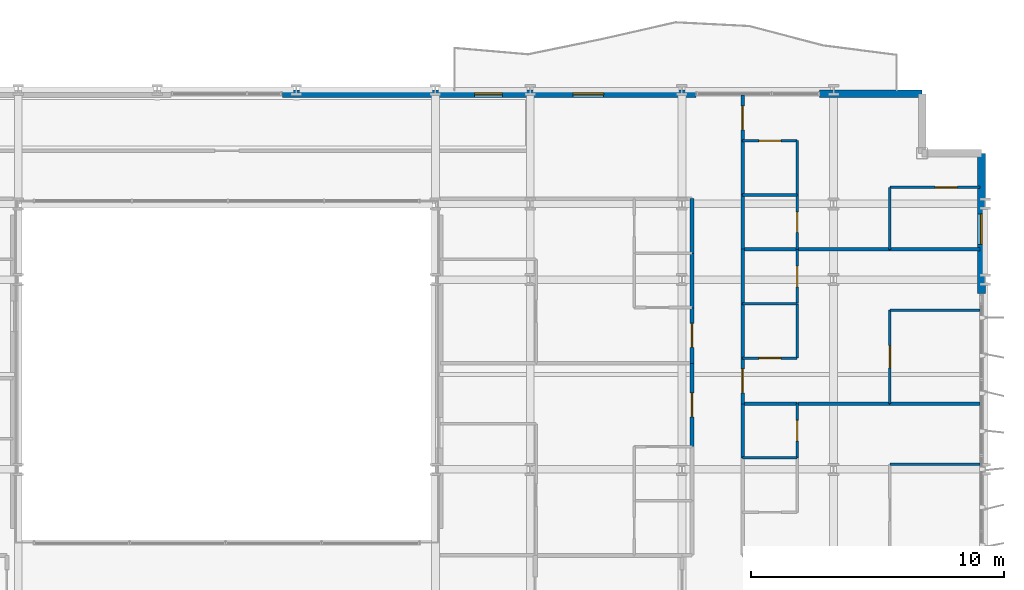
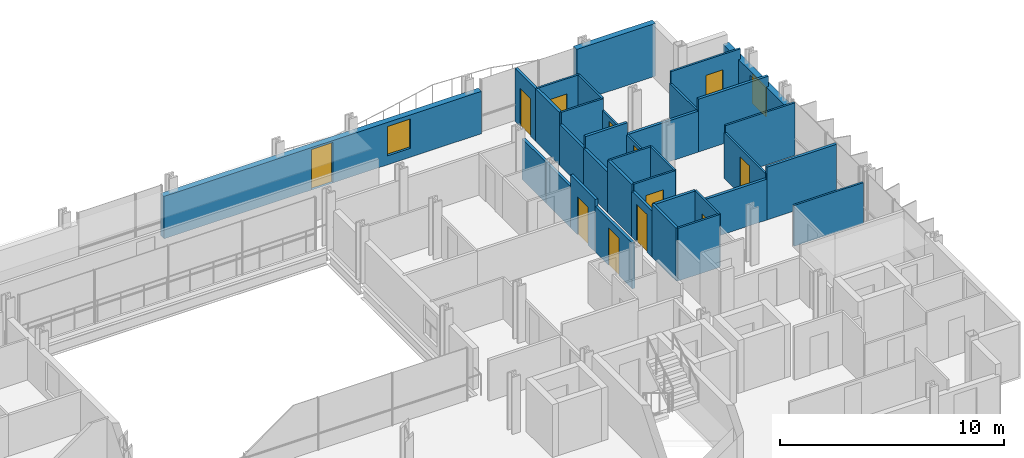
# One storey, part 32 of 39: 35 walls, 12 doors, 2 windows, 14 openings.
"""IFC4 building model written with IfcOpenShell, lengths in metres."""

from ifc_helpers import new_model, si_unit, direction, frame, frame_2d, origin, place, context, subcontext, project, spatial, rectangle, extrude, material, layer, layer_set, type_object, element, fill, save


model = new_model("IFC4")

# Units and contexts
model_context = context("Model", 3, precision=1e-05, world=origin(), true_north=direction((0.0, 1.0)))
body_context = subcontext(model_context, "Body", "Model", "MODEL_VIEW")
ifc_project = project(units=[si_unit("LENGTHUNIT", "METRE"), si_unit("AREAUNIT", "SQUARE_METRE"), si_unit("VOLUMEUNIT", "CUBIC_METRE"), si_unit("PLANEANGLEUNIT", "RADIAN"), si_unit("MASSUNIT", "GRAM", prefix="KILO")], contexts=[model_context])

# Site, building, storey
site_placement = place(None, origin())
site = spatial("IfcSite", under=ifc_project, at=site_placement, CompositionType="ELEMENT")
building_placement = place(site_placement, origin())
building = spatial("IfcBuilding", under=site, at=building_placement, Name="Brevholm Reach", CompositionType="ELEMENT")
storey_placement = place(building_placement, frame((0.0, 0.0, 34.199951171875)))
storey = spatial("IfcBuildingStorey", under=building, at=storey_placement, Name="L08", CompositionType="ELEMENT", Elevation=34.199951171875)

# Wall, opening, window
ifc_material_1 = material(Name="Concrete C40/50", Category="concrete")
ifc_layer_1 = layer(ifc_material_1, 0.300048828125)
ifc_layer_set_1 = layer_set([ifc_layer_1], Name="Concrete C40/50")
wall_type_1 = type_object("IfcWallType", Name="WAL-EXT-300", PredefinedType="STANDARD", material=ifc_layer_set_1)
wall_1_placement = place(storey_placement, frame((59.85009765625, 22.949951171875, 0.0), z_axis=(0.0, 0.0, 1.0), x_axis=(0.0, 1.0, 0.0)))
wall_1 = element("IfcWall", 1, at=wall_1_placement, inside=storey, type_object=wall_type_1, Name="L08 Facade Wall WAL-L08-E-N", PredefinedType="STANDARD", context=body_context, shape_type="SweptSolid", body=[
    extrude(rectangle(XDim=5.550048828125, YDim=0.300048828125, at=frame_2d((2.77490234375, 0.0))), origin(), (0.0, 0.0, 1.0), 2.3056640625),
])
opening_1_placement = place(wall_1_placement, frame((1.949951171875, 0.0, 0.485107421875)))
opening_1 = element("IfcOpeningElement", 2, at=opening_1_placement, cuts=wall_1, Name="Opening WN-08", PredefinedType="OPENING", context=body_context, shape_type="SweptSolid", body=[
    extrude(rectangle(XDim=1.199951171875, YDim=1.60009765625, at=frame_2d((0.60009765625, 0.800048828125))), frame((0.0, 0.159912109375, 0.0), z_axis=(0.0, -1.0, 0.0), x_axis=(1.0, 0.0, 0.0)), (0.0, 0.0, 1.0), 0.320068359375),
])
ifc_material_2 = material(Name="Dark Anodised Aluminium and Solar-Control IGU Glass", Category="aluminium")
window_type = type_object("IfcWindowType", Name="WIN-RES-1200", PartitioningType="SINGLE_PANEL", PredefinedType="WINDOW", material=ifc_material_2)
window_1_placement = place(opening_1_placement, origin())
window_1 = element("IfcWindow", 3, at=window_1_placement, inside=storey, type_object=window_type, Name="L08 Window WIN-L08-EN-1", OverallHeight=1.60009765625, OverallWidth=1.199951171875, PartitioningType="SINGLE_PANEL", PredefinedType="WINDOW", context=body_context, shape_type="SweptSolid", body=[
    extrude(rectangle(XDim=1.199951171875, YDim=1.60009765625, at=frame_2d((0.60009765625, 0.800048828125))), frame((0.0, 0.030029296875, 0.0), z_axis=(0.0, -1.0, 0.0), x_axis=(1.0, 0.0, 0.0)), (0.0, 0.0, 1.0), 0.06005859375),
])
fill(opening_1, window_1)

# Wall
wall_2_placement = place(storey_placement, frame((53.449951171875, 30.85009765625, 0.0), z_axis=(0.0, 0.0, 1.0), x_axis=(1.0, 0.0, 0.0)))
element("IfcWall", 4, at=wall_2_placement, inside=storey, type_object=wall_type_1, Name="L08 Facade Wall WAL-L08-NP-E0", PredefinedType="STANDARD", context=body_context, shape_type="SweptSolid", body=[
    extrude(rectangle(XDim=4.050048828125, YDim=0.300048828125, at=frame_2d((2.02490234375, 0.0))), origin(), (0.0, 0.0, 1.0), 2.8701171875),
])

# Wall, openings, door, window
wall_3_placement = place(storey_placement, frame((32.199951171875, 30.85009765625, 0.0), z_axis=(0.0, 0.0, 1.0), x_axis=(1.0, 0.0, 0.0)))
wall_3 = element("IfcWall", 5, at=wall_3_placement, inside=storey, type_object=wall_type_1, Name="L08 Facade Wall WAL-L08-NP-ER", PredefinedType="STANDARD", context=body_context, shape_type="SweptSolid", body=[
    extrude(rectangle(XDim=16.35009765625, YDim=0.300048828125, at=frame_2d((8.175048828125, 0.0))), origin(), (0.0, 0.0, 1.0), 2.3056640625),
])
opening_2_placement = place(wall_3_placement, frame((7.60009765625, 0.0, 0.0)))
opening_2 = element("IfcOpeningElement", 6, at=opening_2_placement, cuts=wall_3, Name="Opening BD-01", PredefinedType="OPENING", context=body_context, shape_type="SweptSolid", body=[
    extrude(rectangle(XDim=1.10009765625, YDim=2.199951171875, at=frame_2d((0.550048828125, 1.10009765625))), frame((0.0, 0.159912109375, 0.0), z_axis=(0.0, -1.0, 0.0), x_axis=(1.0, 0.0, 0.0)), (0.0, 0.0, 1.0), 0.320068359375),
])
opening_3_placement = place(wall_3_placement, frame((11.5, 0.0, 0.485107421875)))
opening_3 = element("IfcOpeningElement", 7, at=opening_3_placement, cuts=wall_3, Name="Opening WN-08", PredefinedType="OPENING", context=body_context, shape_type="SweptSolid", body=[
    extrude(rectangle(XDim=1.199951171875, YDim=1.60009765625, at=frame_2d((0.60009765625, 0.800048828125))), frame((0.0, 0.159912109375, 0.0), z_axis=(0.0, -1.0, 0.0), x_axis=(1.0, 0.0, 0.0)), (0.0, 0.0, 1.0), 0.320068359375),
])
ifc_material_3 = material(Name="Dark Anodised Aluminium and Triple-Glazed Glass", Category="aluminium")
door_type_1 = type_object("IfcDoorType", Name="DOR-BALC-1100", OperationType="NOTDEFINED", PredefinedType="DOOR", material=ifc_material_3)
door_1_placement = place(opening_2_placement, origin())
door_1 = element("IfcDoor", 8, at=door_1_placement, inside=storey, type_object=door_type_1, Name="L08 Exterior Door DOR-L08-BL-NE", OperationType="SINGLE_SWING_RIGHT", OverallHeight=2.199951171875, OverallWidth=1.10009765625, PredefinedType="DOOR", context=body_context, shape_type="SweptSolid", body=[
    extrude(rectangle(XDim=1.10009765625, YDim=2.199951171875, at=frame_2d((0.550048828125, 1.10009765625))), frame((0.0, 0.02490234375, 0.0), z_axis=(0.0, -1.0, 0.0), x_axis=(1.0, 0.0, 0.0)), (0.0, 0.0, 1.0), 0.050048828125),
])
fill(opening_2, door_1)
window_2_placement = place(opening_3_placement, origin())
window_2 = element("IfcWindow", 9, at=window_2_placement, inside=storey, type_object=window_type, Name="L08 Window WIN-L08-NP-ER1", OverallHeight=1.60009765625, OverallWidth=1.199951171875, PartitioningType="SINGLE_PANEL", PredefinedType="WINDOW", context=body_context, shape_type="SweptSolid", body=[
    extrude(rectangle(XDim=1.199951171875, YDim=1.60009765625, at=frame_2d((0.60009765625, 0.800048828125))), frame((0.0, 0.030029296875, 0.0), z_axis=(0.0, -1.0, 0.0), x_axis=(1.0, 0.0, 0.0)), (0.0, 0.0, 1.0), 0.06005859375),
])
fill(opening_3, window_2)

# Wall
ifc_material_4 = material(Name="Moisture-Resistant Acoustic Gypsum Stud Partition 100 mm", Category="gypsum")
ifc_layer_2 = layer(ifc_material_4, 0.10009765625)
ifc_layer_set_2 = layer_set([ifc_layer_2], Name="Moisture-Resistant Acoustic Gypsum Stud Partition 100 mm")
wall_type_2 = type_object("IfcWallType", Name="WAL-PRT-100", PredefinedType="PARTITIONING", material=ifc_layer_set_2)
wall_4_placement = place(storey_placement, frame((50.404052734375, 16.449951171875, 0.0), z_axis=(0.0, 0.0, 1.0), x_axis=(1.0, 0.0, 0.0)))
element("IfcWall", 10, at=wall_4_placement, inside=storey, type_object=wall_type_2, Name="L08 Internal Partition 138", PredefinedType="PARTITIONING", context=body_context, shape_type="SweptSolid", body=[
    extrude(rectangle(XDim=2.157958984375, YDim=0.10009765625, at=frame_2d((1.0791015625, 0.0))), origin(), (0.0, 0.0, 1.0), 2.8701171875),
])

# Wall, opening, door
wall_5_placement = place(storey_placement, frame((52.56201171875, 16.449951171875, 0.0), z_axis=(0.0, 0.0, 1.0), x_axis=(0.0, 1.0, 0.0)))
wall_5 = element("IfcWall", 11, at=wall_5_placement, inside=storey, type_object=wall_type_2, Name="L08 Internal Partition 139", PredefinedType="PARTITIONING", context=body_context, shape_type="SweptSolid", body=[
    extrude(rectangle(XDim=2.150146484375, YDim=0.10009765625, at=frame_2d((1.0751953125, 0.0))), origin(), (0.0, 0.0, 1.0), 2.8701171875),
])
opening_4_placement = place(wall_5_placement, frame((0.6650390625, 0.0, 0.0)))
opening_4 = element("IfcOpeningElement", 12, at=opening_4_placement, cuts=wall_5, Name="Opening ID-03", PredefinedType="OPENING", context=body_context, shape_type="SweptSolid", body=[
    extrude(rectangle(XDim=0.820068359375, YDim=2.02001953125, at=frame_2d((0.41015625, 1.010009765625))), frame((0.0, 0.06005859375, 0.0), z_axis=(0.0, -1.0, 0.0), x_axis=(1.0, 0.0, 0.0)), (0.0, 0.0, 1.0), 0.1201171875),
])
ifc_material_5 = material(Name="Moisture-Resistant Painted Timber Internal Bathroom Door", Category="wood")
door_type_2 = type_object("IfcDoorType", Name="DOR-BATH-820", OperationType="NOTDEFINED", PredefinedType="DOOR", material=ifc_material_5)
door_2_placement = place(opening_4_placement, origin())
door_2 = element("IfcDoor", 13, at=door_2_placement, inside=storey, type_object=door_type_2, Name="L08 Internal Door 052", OperationType="SINGLE_SWING_RIGHT", OverallHeight=2.02001953125, OverallWidth=0.820068359375, PredefinedType="DOOR", context=body_context, shape_type="SweptSolid", body=[
    extrude(rectangle(XDim=0.820068359375, YDim=2.02001953125, at=frame_2d((0.41015625, 1.010009765625))), frame((0.0, 0.02490234375, 0.0), z_axis=(0.0, -1.0, 0.0), x_axis=(1.0, 0.0, 0.0)), (0.0, 0.0, 1.0), 0.050048828125),
])
fill(opening_4, door_2)

# Walls
wall_6_placement = place(storey_placement, frame((56.22802734375, 16.199951171875, 0.0), z_axis=(0.0, 0.0, 1.0), x_axis=(1.0, 0.0, 0.0)))
element("IfcWall", 14, at=wall_6_placement, inside=storey, type_object=wall_type_2, Name="L08 Internal Partition 143", PredefinedType="PARTITIONING", context=body_context, shape_type="SweptSolid", body=[
    extrude(rectangle(XDim=3.572021484375, YDim=0.10009765625, at=frame_2d((1.7861328125, 0.0))), origin(), (0.0, 0.0, 1.0), 2.224853515625),
])
wall_7_placement = place(storey_placement, frame((50.404052734375, 22.550048828125, 0.0), z_axis=(0.0, 0.0, 1.0), x_axis=(1.0, 0.0, 0.0)))
element("IfcWall", 15, at=wall_7_placement, inside=storey, type_object=wall_type_2, Name="L08 Internal Partition 147", PredefinedType="PARTITIONING", context=body_context, shape_type="SweptSolid", body=[
    extrude(rectangle(XDim=2.157958984375, YDim=0.10009765625, at=frame_2d((1.0791015625, 0.0))), origin(), (0.0, 0.0, 1.0), 2.8701171875),
])

# Wall, opening, door
wall_8_placement = place(storey_placement, frame((52.56201171875, 22.550048828125, 0.0), z_axis=(0.0, 0.0, 1.0), x_axis=(0.0, 1.0, 0.0)))
wall_8 = element("IfcWall", 16, at=wall_8_placement, inside=storey, type_object=wall_type_2, Name="L08 Internal Partition 148", PredefinedType="PARTITIONING", context=body_context, shape_type="SweptSolid", body=[
    extrude(rectangle(XDim=2.14990234375, YDim=0.10009765625, at=frame_2d((1.074951171875, 0.0))), origin(), (0.0, 0.0, 1.0), 2.224853515625),
])
opening_5_placement = place(wall_8_placement, frame((0.6650390625, 0.0, 0.0)))
opening_5 = element("IfcOpeningElement", 17, at=opening_5_placement, cuts=wall_8, Name="Opening ID-03", PredefinedType="OPENING", context=body_context, shape_type="SweptSolid", body=[
    extrude(rectangle(XDim=0.820068359375, YDim=2.02001953125, at=frame_2d((0.41015625, 1.010009765625))), frame((0.0, 0.06005859375, 0.0), z_axis=(0.0, -1.0, 0.0), x_axis=(1.0, 0.0, 0.0)), (0.0, 0.0, 1.0), 0.1201171875),
])
door_3_placement = place(opening_5_placement, origin())
door_3 = element("IfcDoor", 18, at=door_3_placement, inside=storey, type_object=door_type_2, Name="L08 Internal Door 055", OperationType="SINGLE_SWING_LEFT", OverallHeight=2.02001953125, OverallWidth=0.820068359375, PredefinedType="DOOR", context=body_context, shape_type="SweptSolid", body=[
    extrude(rectangle(XDim=0.820068359375, YDim=2.02001953125, at=frame_2d((0.41015625, 1.010009765625))), frame((0.0, 0.02490234375, 0.0), z_axis=(0.0, -1.0, 0.0), x_axis=(1.0, 0.0, 0.0)), (0.0, 0.0, 1.0), 0.050048828125),
])
fill(opening_5, door_3)

wall_9_placement = place(storey_placement, frame((50.404052734375, 20.39990234375, 0.0), z_axis=(0.0, 0.0, 1.0), x_axis=(1.0, 0.0, 0.0)))
wall_9 = element("IfcWall", 19, at=wall_9_placement, inside=storey, type_object=wall_type_2, Name="L08 Internal Partition 150", PredefinedType="PARTITIONING", context=body_context, shape_type="SweptSolid", body=[
    extrude(rectangle(XDim=2.157958984375, YDim=0.10009765625, at=frame_2d((1.0791015625, 0.0))), origin(), (0.0, 0.0, 1.0), 2.8701171875),
])
opening_6_placement = place(wall_9_placement, frame((0.638916015625, 0.0, 0.0)))
opening_6 = element("IfcOpeningElement", 20, at=opening_6_placement, cuts=wall_9, Name="Opening ID-01", PredefinedType="OPENING", context=body_context, shape_type="SweptSolid", body=[
    extrude(rectangle(XDim=0.8798828125, YDim=2.0400390625, at=frame_2d((0.43994140625, 1.02001953125))), frame((0.0, 0.06005859375, 0.0), z_axis=(0.0, -1.0, 0.0), x_axis=(1.0, 0.0, 0.0)), (0.0, 0.0, 1.0), 0.1201171875),
])
ifc_material_6 = material(Name="Lacquered Ash Solid-Core Acoustic Internal Door", Category="timber")
door_type_3 = type_object("IfcDoorType", Name="DOR-INT-880", OperationType="NOTDEFINED", PredefinedType="DOOR", material=ifc_material_6)
door_4_placement = place(opening_6_placement, origin())
door_4 = element("IfcDoor", 21, at=door_4_placement, inside=storey, type_object=door_type_3, Name="L08 Internal Door 056", OperationType="SINGLE_SWING_RIGHT", OverallHeight=2.0400390625, OverallWidth=0.8798828125, PredefinedType="DOOR", context=body_context, shape_type="SweptSolid", body=[
    extrude(rectangle(XDim=0.8798828125, YDim=2.0400390625, at=frame_2d((0.43994140625, 1.02001953125))), frame((0.0, 0.02490234375, 0.0), z_axis=(0.0, -1.0, 0.0), x_axis=(1.0, 0.0, 0.0)), (0.0, 0.0, 1.0), 0.050048828125),
])
fill(opening_6, door_4)

# Walls
wall_10_placement = place(storey_placement, frame((52.56201171875, 20.39990234375, 0.0), z_axis=(0.0, 0.0, 1.0), x_axis=(0.0, 1.0, 0.0)))
element("IfcWall", 22, at=wall_10_placement, inside=storey, type_object=wall_type_2, Name="L08 Internal Partition 151", PredefinedType="PARTITIONING", context=body_context, shape_type="SweptSolid", body=[
    extrude(rectangle(XDim=2.14599609375, YDim=0.10009765625, at=frame_2d((1.072998046875, 0.0))), origin(), (0.0, 0.0, 1.0), 2.8701171875),
])
wall_11_placement = place(storey_placement, frame((56.22802734375, 22.300048828125, 0.0), z_axis=(0.0, 0.0, 1.0), x_axis=(1.0, 0.0, 0.0)))
element("IfcWall", 23, at=wall_11_placement, inside=storey, type_object=wall_type_2, Name="L08 Internal Partition 152", PredefinedType="PARTITIONING", context=body_context, shape_type="SweptSolid", body=[
    extrude(rectangle(XDim=3.572021484375, YDim=0.10009765625, at=frame_2d((1.7861328125, 0.0))), origin(), (0.0, 0.0, 1.0), 2.8701171875),
])

# Wall, opening, door
wall_12_placement = place(storey_placement, frame((56.22802734375, 18.60400390625, 0.0), z_axis=(0.0, 0.0, 1.0), x_axis=(0.0, 1.0, 0.0)))
wall_12 = element("IfcWall", 24, at=wall_12_placement, inside=storey, type_object=wall_type_2, Name="L08 Internal Partition 153", PredefinedType="PARTITIONING", context=body_context, shape_type="SweptSolid", body=[
    extrude(rectangle(XDim=3.696044921875, YDim=0.10009765625, at=frame_2d((1.84814453125, 0.0))), origin(), (0.0, 0.0, 1.0), 2.489990234375),
])
opening_7_placement = place(wall_12_placement, frame((1.407958984375, 0.0, 0.0)))
opening_7 = element("IfcOpeningElement", 25, at=opening_7_placement, cuts=wall_12, Name="Opening ID-01", PredefinedType="OPENING", context=body_context, shape_type="SweptSolid", body=[
    extrude(rectangle(XDim=0.8798828125, YDim=2.0400390625, at=frame_2d((0.43994140625, 1.02001953125))), frame((0.0, 0.06005859375, 0.0), z_axis=(0.0, -1.0, 0.0), x_axis=(1.0, 0.0, 0.0)), (0.0, 0.0, 1.0), 0.1201171875),
])
door_5_placement = place(opening_7_placement, origin())
door_5 = element("IfcDoor", 26, at=door_5_placement, inside=storey, type_object=door_type_3, Name="L08 Internal Door 057", OperationType="SINGLE_SWING_LEFT", OverallHeight=2.0400390625, OverallWidth=0.8798828125, PredefinedType="DOOR", context=body_context, shape_type="SweptSolid", body=[
    extrude(rectangle(XDim=0.8798828125, YDim=2.0400390625, at=frame_2d((0.43994140625, 1.02001953125))), frame((0.0, 0.02490234375, 0.0), z_axis=(0.0, -1.0, 0.0), x_axis=(1.0, 0.0, 0.0)), (0.0, 0.0, 1.0), 0.050048828125),
])
fill(opening_7, door_5)

# Wall
wall_13_placement = place(storey_placement, frame((50.404052734375, 26.85009765625, 0.0), z_axis=(0.0, 0.0, 1.0), x_axis=(1.0, 0.0, 0.0)))
element("IfcWall", 27, at=wall_13_placement, inside=storey, type_object=wall_type_2, Name="L08 Internal Partition 156", PredefinedType="PARTITIONING", context=body_context, shape_type="SweptSolid", body=[
    extrude(rectangle(XDim=2.157958984375, YDim=0.10009765625, at=frame_2d((1.0791015625, 0.0))), origin(), (0.0, 0.0, 1.0), 2.8701171875),
])

# Wall, opening, door
wall_14_placement = place(storey_placement, frame((52.56201171875, 24.7041015625, 0.0), z_axis=(0.0, 0.0, 1.0), x_axis=(0.0, 1.0, 0.0)))
wall_14 = element("IfcWall", 28, at=wall_14_placement, inside=storey, type_object=wall_type_2, Name="L08 Internal Partition 157", PredefinedType="PARTITIONING", context=body_context, shape_type="SweptSolid", body=[
    extrude(rectangle(XDim=2.14599609375, YDim=0.10009765625, at=frame_2d((1.072998046875, 0.0))), origin(), (0.0, 0.0, 1.0), 2.224853515625),
])
opening_8_placement = place(wall_14_placement, frame((0.6630859375, 0.0, 0.0)))
opening_8 = element("IfcOpeningElement", 29, at=opening_8_placement, cuts=wall_14, Name="Opening ID-03", PredefinedType="OPENING", context=body_context, shape_type="SweptSolid", body=[
    extrude(rectangle(XDim=0.820068359375, YDim=2.02001953125, at=frame_2d((0.41015625, 1.010009765625))), frame((0.0, 0.06005859375, 0.0), z_axis=(0.0, -1.0, 0.0), x_axis=(1.0, 0.0, 0.0)), (0.0, 0.0, 1.0), 0.1201171875),
])
door_6_placement = place(opening_8_placement, origin())
door_6 = element("IfcDoor", 30, at=door_6_placement, inside=storey, type_object=door_type_2, Name="L08 Internal Door 058", OperationType="SINGLE_SWING_RIGHT", OverallHeight=2.02001953125, OverallWidth=0.820068359375, PredefinedType="DOOR", context=body_context, shape_type="SweptSolid", body=[
    extrude(rectangle(XDim=0.820068359375, YDim=2.02001953125, at=frame_2d((0.41015625, 1.010009765625))), frame((0.0, 0.02490234375, 0.0), z_axis=(0.0, -1.0, 0.0), x_axis=(1.0, 0.0, 0.0)), (0.0, 0.0, 1.0), 0.050048828125),
])
fill(opening_8, door_6)

# Wall
wall_15_placement = place(storey_placement, frame((52.56201171875, 26.85400390625, 0.0), z_axis=(0.0, 0.0, 1.0), x_axis=(0.0, 1.0, 0.0)))
element("IfcWall", 31, at=wall_15_placement, inside=storey, type_object=wall_type_2, Name="L08 Internal Partition 158", PredefinedType="PARTITIONING", context=body_context, shape_type="SweptSolid", body=[
    extrude(rectangle(XDim=2.14599609375, YDim=0.10009765625, at=frame_2d((1.072998046875, 0.0))), origin(), (0.0, 0.0, 1.0), 2.8701171875),
])

# Wall, opening, door
wall_16_placement = place(storey_placement, frame((50.404052734375, 29.0, 0.0), z_axis=(0.0, 0.0, 1.0), x_axis=(1.0, 0.0, 0.0)))
wall_16 = element("IfcWall", 32, at=wall_16_placement, inside=storey, type_object=wall_type_2, Name="L08 Internal Partition 159", PredefinedType="PARTITIONING", context=body_context, shape_type="SweptSolid", body=[
    extrude(rectangle(XDim=2.157958984375, YDim=0.10009765625, at=frame_2d((1.0791015625, 0.0))), origin(), (0.0, 0.0, 1.0), 2.8701171875),
])
opening_9_placement = place(wall_16_placement, frame((0.638916015625, 0.0, 0.0)))
opening_9 = element("IfcOpeningElement", 33, at=opening_9_placement, cuts=wall_16, Name="Opening ID-01", PredefinedType="OPENING", context=body_context, shape_type="SweptSolid", body=[
    extrude(rectangle(XDim=0.8798828125, YDim=2.0400390625, at=frame_2d((0.43994140625, 1.02001953125))), frame((0.0, 0.06005859375, 0.0), z_axis=(0.0, -1.0, 0.0), x_axis=(1.0, 0.0, 0.0)), (0.0, 0.0, 1.0), 0.1201171875),
])
door_7_placement = place(opening_9_placement, origin())
door_7 = element("IfcDoor", 34, at=door_7_placement, inside=storey, type_object=door_type_3, Name="L08 Internal Door 059", OperationType="SINGLE_SWING_LEFT", OverallHeight=2.0400390625, OverallWidth=0.8798828125, PredefinedType="DOOR", context=body_context, shape_type="SweptSolid", body=[
    extrude(rectangle(XDim=0.8798828125, YDim=2.0400390625, at=frame_2d((0.43994140625, 1.02001953125))), frame((0.0, 0.02490234375, 0.0), z_axis=(0.0, -1.0, 0.0), x_axis=(1.0, 0.0, 0.0)), (0.0, 0.0, 1.0), 0.050048828125),
])
fill(opening_9, door_7)

wall_17_placement = place(storey_placement, frame((56.22802734375, 27.14990234375, 0.0), z_axis=(0.0, 0.0, 1.0), x_axis=(1.0, 0.0, 0.0)))
wall_17 = element("IfcWall", 35, at=wall_17_placement, inside=storey, type_object=wall_type_2, Name="L08 Internal Partition 160", PredefinedType="PARTITIONING", context=body_context, shape_type="SweptSolid", body=[
    extrude(rectangle(XDim=3.572021484375, YDim=0.10009765625, at=frame_2d((1.7861328125, 0.0))), origin(), (0.0, 0.0, 1.0), 2.8701171875),
])
opening_10_placement = place(wall_17_placement, frame((1.785888671875, 0.0, 0.0)))
opening_10 = element("IfcOpeningElement", 36, at=opening_10_placement, cuts=wall_17, Name="Opening ID-01", PredefinedType="OPENING", context=body_context, shape_type="SweptSolid", body=[
    extrude(rectangle(XDim=0.8798828125, YDim=2.0400390625, at=frame_2d((0.43994140625, 1.02001953125))), frame((0.0, 0.06005859375, 0.0), z_axis=(0.0, -1.0, 0.0), x_axis=(1.0, 0.0, 0.0)), (0.0, 0.0, 1.0), 0.1201171875),
])
door_8_placement = place(opening_10_placement, origin())
door_8 = element("IfcDoor", 37, at=door_8_placement, inside=storey, type_object=door_type_3, Name="L08 Internal Door 060", OperationType="SINGLE_SWING_RIGHT", OverallHeight=2.0400390625, OverallWidth=0.8798828125, PredefinedType="DOOR", context=body_context, shape_type="SweptSolid", body=[
    extrude(rectangle(XDim=0.8798828125, YDim=2.0400390625, at=frame_2d((0.43994140625, 1.02001953125))), frame((0.0, 0.02490234375, 0.0), z_axis=(0.0, -1.0, 0.0), x_axis=(1.0, 0.0, 0.0)), (0.0, 0.0, 1.0), 0.050048828125),
])
fill(opening_10, door_8)

# Wall
wall_18_placement = place(storey_placement, frame((56.22802734375, 24.7041015625, 0.0), z_axis=(0.0, 0.0, 1.0), x_axis=(0.0, 1.0, 0.0)))
element("IfcWall", 38, at=wall_18_placement, inside=storey, type_object=wall_type_2, Name="L08 Internal Partition 161", PredefinedType="PARTITIONING", context=body_context, shape_type="SweptSolid", body=[
    extrude(rectangle(XDim=2.44580078125, YDim=0.10009765625, at=frame_2d((1.222900390625, 0.0))), origin(), (0.0, 0.0, 1.0), 2.224853515625),
])

# Wall, opening, door
ifc_material_7 = material(Name="Twin-Stud Acoustic Fire-Rated Gypsum Partition 140 mm", Category="gypsum")
ifc_layer_3 = layer(ifc_material_7, 0.139892578125)
ifc_layer_set_3 = layer_set([ifc_layer_3], Name="Twin-Stud Acoustic Fire-Rated Gypsum Partition 140 mm")
wall_type_3 = type_object("IfcWallType", Name="WAL-PRT-140", PredefinedType="PARTITIONING", material=ifc_layer_set_3)
wall_19_placement = place(storey_placement, frame((48.39990234375, 16.892578125, 0.0), z_axis=(0.0, 0.0, 1.0), x_axis=(0.0, 1.0, 0.0)))
wall_19 = element("IfcWall", 39, at=wall_19_placement, inside=storey, type_object=wall_type_3, Name="L08 Internal Partition 047", PredefinedType="PARTITIONING", context=body_context, shape_type="SweptSolid", body=[
    extrude(rectangle(XDim=3.318603515625, YDim=0.139892578125, at=frame_2d((1.6591796875, 0.0))), origin(), (0.0, 0.0, 1.0), 2.489990234375),
])
opening_11_placement = place(wall_19_placement, frame((1.184326171875, 0.0, 0.0)))
opening_11 = element("IfcOpeningElement", 40, at=opening_11_placement, cuts=wall_19, Name="Opening ID-30", PredefinedType="OPENING", context=body_context, shape_type="SweptSolid", body=[
    extrude(rectangle(XDim=0.949951171875, YDim=2.050048828125, at=frame_2d((0.47509765625, 1.02490234375))), frame((0.0, 0.079833984375, 0.0), z_axis=(0.0, -1.0, 0.0), x_axis=(1.0, 0.0, 0.0)), (0.0, 0.0, 1.0), 0.159912109375),
])
ifc_material_8 = material(Name="European Oak Veneered Solid-Core Fire Entrance Door", Category="timber")
door_type_4 = type_object("IfcDoorType", Name="DOR-FLT-FD30S", OperationType="NOTDEFINED", PredefinedType="DOOR", material=ifc_material_8)
door_9_placement = place(opening_11_placement, origin())
door_9 = element("IfcDoor", 41, at=door_9_placement, inside=storey, type_object=door_type_4, Name="L08 Internal Door 020", OperationType="SINGLE_SWING_RIGHT", OverallHeight=2.050048828125, OverallWidth=0.949951171875, PredefinedType="DOOR", context=body_context, shape_type="SweptSolid", body=[
    extrude(rectangle(XDim=0.949951171875, YDim=2.050048828125, at=frame_2d((0.47509765625, 1.02490234375))), frame((0.0, 0.02490234375, 0.0), z_axis=(0.0, -1.0, 0.0), x_axis=(1.0, 0.0, 0.0)), (0.0, 0.0, 1.0), 0.050048828125),
])
fill(opening_11, door_9)

# Walls
wall_20_placement = place(storey_placement, frame((48.39990234375, 24.538818359375, 0.0), z_axis=(0.0, 0.0, 1.0), x_axis=(0.0, 1.0, 0.0)))
element("IfcWall", 42, at=wall_20_placement, inside=storey, type_object=wall_type_3, Name="L08 Internal Partition 048", PredefinedType="PARTITIONING", context=body_context, shape_type="SweptSolid", body=[
    extrude(rectangle(XDim=2.16845703125, YDim=0.139892578125, at=frame_2d((1.084228515625, 0.0))), origin(), (0.0, 0.0, 1.0), 2.224853515625),
])
wall_21_placement = place(storey_placement, frame((48.39990234375, 22.388671875, 0.0), z_axis=(0.0, 0.0, 1.0), x_axis=(0.0, 1.0, 0.0)))
element("IfcWall", 43, at=wall_21_placement, inside=storey, type_object=wall_type_3, Name="L08 Internal Partition 049", PredefinedType="PARTITIONING", context=body_context, shape_type="SweptSolid", body=[
    extrude(rectangle(XDim=2.168701171875, YDim=0.139892578125, at=frame_2d((1.08447265625, 0.0))), origin(), (0.0, 0.0, 1.0), 2.224853515625),
])

# Wall, opening, door
wall_22_placement = place(storey_placement, frame((48.39990234375, 20.192626953125, 0.0), z_axis=(0.0, 0.0, 1.0), x_axis=(0.0, 1.0, 0.0)))
wall_22 = element("IfcWall", 44, at=wall_22_placement, inside=storey, type_object=wall_type_3, Name="L08 Internal Partition 050", PredefinedType="PARTITIONING", context=body_context, shape_type="SweptSolid", body=[
    extrude(rectangle(XDim=2.214599609375, YDim=0.139892578125, at=frame_2d((1.107421875, 0.0))), origin(), (0.0, 0.0, 1.0), 2.8701171875),
])
opening_12_placement = place(wall_22_placement, frame((0.63232421875, 0.0, 0.0)))
opening_12 = element("IfcOpeningElement", 45, at=opening_12_placement, cuts=wall_22, Name="Opening ID-30", PredefinedType="OPENING", context=body_context, shape_type="SweptSolid", body=[
    extrude(rectangle(XDim=0.949951171875, YDim=2.050048828125, at=frame_2d((0.47509765625, 1.02490234375))), frame((0.0, 0.079833984375, 0.0), z_axis=(0.0, -1.0, 0.0), x_axis=(1.0, 0.0, 0.0)), (0.0, 0.0, 1.0), 0.159912109375),
])
door_10_placement = place(opening_12_placement, origin())
door_10 = element("IfcDoor", 46, at=door_10_placement, inside=storey, type_object=door_type_4, Name="L08 Internal Door 021", OperationType="SINGLE_SWING_LEFT", OverallHeight=2.050048828125, OverallWidth=0.949951171875, PredefinedType="DOOR", context=body_context, shape_type="SweptSolid", body=[
    extrude(rectangle(XDim=0.949951171875, YDim=2.050048828125, at=frame_2d((0.47509765625, 1.02490234375))), frame((0.0, 0.02490234375, 0.0), z_axis=(0.0, -1.0, 0.0), x_axis=(1.0, 0.0, 0.0)), (0.0, 0.0, 1.0), 0.050048828125),
])
fill(opening_12, door_10)

# Walls
wall_23_placement = place(storey_placement, frame((50.39990234375, 16.438720703125, 0.0), z_axis=(0.0, 0.0, 1.0), x_axis=(0.0, 1.0, 0.0)))
element("IfcWall", 47, at=wall_23_placement, inside=storey, type_object=wall_type_3, Name="L08 Internal Partition 051", PredefinedType="PARTITIONING", context=body_context, shape_type="SweptSolid", body=[
    extrude(rectangle(XDim=2.172607421875, YDim=0.139892578125, at=frame_2d((1.08642578125, 0.0))), origin(), (0.0, 0.0, 1.0), 2.8701171875),
])
wall_24_placement = place(storey_placement, frame((50.39990234375, 22.538818359375, 0.0), z_axis=(0.0, 0.0, 1.0), x_axis=(0.0, 1.0, 0.0)))
element("IfcWall", 48, at=wall_24_placement, inside=storey, type_object=wall_type_3, Name="L08 Internal Partition 054", PredefinedType="PARTITIONING", context=body_context, shape_type="SweptSolid", body=[
    extrude(rectangle(XDim=2.17236328125, YDim=0.139892578125, at=frame_2d((1.086181640625, 0.0))), origin(), (0.0, 0.0, 1.0), 2.224853515625),
])
wall_25_placement = place(storey_placement, frame((50.39990234375, 20.388671875, 0.0), z_axis=(0.0, 0.0, 1.0), x_axis=(0.0, 1.0, 0.0)))
element("IfcWall", 49, at=wall_25_placement, inside=storey, type_object=wall_type_3, Name="L08 Internal Partition 055", PredefinedType="PARTITIONING", context=body_context, shape_type="SweptSolid", body=[
    extrude(rectangle(XDim=2.168701171875, YDim=0.139892578125, at=frame_2d((1.08447265625, 0.0))), origin(), (0.0, 0.0, 1.0), 2.8701171875),
])

# Wall, opening, door
wall_26_placement = place(storey_placement, frame((50.39990234375, 18.5927734375, 0.0), z_axis=(0.0, 0.0, 1.0), x_axis=(0.0, 1.0, 0.0)))
wall_26 = element("IfcWall", 50, at=wall_26_placement, inside=storey, type_object=wall_type_3, Name="L08 Internal Partition 056", PredefinedType="PARTITIONING", context=body_context, shape_type="SweptSolid", body=[
    extrude(rectangle(XDim=1.814453125, YDim=0.139892578125, at=frame_2d((0.9072265625, 0.0))), origin(), (0.0, 0.0, 1.0), 2.489990234375),
])
opening_13_placement = place(wall_26_placement, frame((0.432373046875, 0.0, 0.0)))
opening_13 = element("IfcOpeningElement", 51, at=opening_13_placement, cuts=wall_26, Name="Opening ID-30", PredefinedType="OPENING", context=body_context, shape_type="SweptSolid", body=[
    extrude(rectangle(XDim=0.949951171875, YDim=2.050048828125, at=frame_2d((0.47509765625, 1.02490234375))), frame((0.0, 0.079833984375, 0.0), z_axis=(0.0, -1.0, 0.0), x_axis=(1.0, 0.0, 0.0)), (0.0, 0.0, 1.0), 0.159912109375),
])
door_11_placement = place(opening_13_placement, origin())
door_11 = element("IfcDoor", 52, at=door_11_placement, inside=storey, type_object=door_type_4, Name="L08 Internal Door 022", OperationType="SINGLE_SWING_RIGHT", OverallHeight=2.050048828125, OverallWidth=0.949951171875, PredefinedType="DOOR", context=body_context, shape_type="SweptSolid", body=[
    extrude(rectangle(XDim=0.949951171875, YDim=2.050048828125, at=frame_2d((0.47509765625, 1.02490234375))), frame((0.0, 0.02490234375, 0.0), z_axis=(0.0, -1.0, 0.0), x_axis=(1.0, 0.0, 0.0)), (0.0, 0.0, 1.0), 0.050048828125),
])
fill(opening_13, door_11)

# Walls
wall_27_placement = place(storey_placement, frame((50.39990234375, 24.692626953125, 0.0), z_axis=(0.0, 0.0, 1.0), x_axis=(0.0, 1.0, 0.0)))
element("IfcWall", 53, at=wall_27_placement, inside=storey, type_object=wall_type_3, Name="L08 Internal Partition 057", PredefinedType="PARTITIONING", context=body_context, shape_type="SweptSolid", body=[
    extrude(rectangle(XDim=2.168701171875, YDim=0.139892578125, at=frame_2d((1.08447265625, 0.0))), origin(), (0.0, 0.0, 1.0), 2.224853515625),
])
wall_28_placement = place(storey_placement, frame((50.39990234375, 26.8427734375, 0.0), z_axis=(0.0, 0.0, 1.0), x_axis=(0.0, 1.0, 0.0)))
element("IfcWall", 54, at=wall_28_placement, inside=storey, type_object=wall_type_3, Name="L08 Internal Partition 058", PredefinedType="PARTITIONING", context=body_context, shape_type="SweptSolid", body=[
    extrude(rectangle(XDim=2.16845703125, YDim=0.139892578125, at=frame_2d((1.084228515625, 0.0))), origin(), (0.0, 0.0, 1.0), 2.8701171875),
])

# Wall, opening, door
wall_29_placement = place(storey_placement, frame((50.39990234375, 28.99267578125, 0.0), z_axis=(0.0, 0.0, 1.0), x_axis=(0.0, 1.0, 0.0)))
wall_29 = element("IfcWall", 55, at=wall_29_placement, inside=storey, type_object=wall_type_3, Name="L08 Internal Partition 059", PredefinedType="PARTITIONING", context=body_context, shape_type="SweptSolid", body=[
    extrude(rectangle(XDim=1.807373046875, YDim=0.139892578125, at=frame_2d((0.90380859375, 0.0))), origin(), (0.0, 0.0, 1.0), 2.8701171875),
])
opening_14_placement = place(wall_29_placement, frame((0.4287109375, 0.0, 0.0)))
opening_14 = element("IfcOpeningElement", 56, at=opening_14_placement, cuts=wall_29, Name="Opening ID-30", PredefinedType="OPENING", context=body_context, shape_type="SweptSolid", body=[
    extrude(rectangle(XDim=0.949951171875, YDim=2.050048828125, at=frame_2d((0.47509765625, 1.02490234375))), frame((0.0, 0.079833984375, 0.0), z_axis=(0.0, -1.0, 0.0), x_axis=(1.0, 0.0, 0.0)), (0.0, 0.0, 1.0), 0.159912109375),
])
door_12_placement = place(opening_14_placement, origin())
door_12 = element("IfcDoor", 57, at=door_12_placement, inside=storey, type_object=door_type_4, Name="L08 Internal Door 023", OperationType="SINGLE_SWING_LEFT", OverallHeight=2.050048828125, OverallWidth=0.949951171875, PredefinedType="DOOR", context=body_context, shape_type="SweptSolid", body=[
    extrude(rectangle(XDim=0.949951171875, YDim=2.050048828125, at=frame_2d((0.47509765625, 1.02490234375))), frame((0.0, 0.02490234375, 0.0), z_axis=(0.0, -1.0, 0.0), x_axis=(1.0, 0.0, 0.0)), (0.0, 0.0, 1.0), 0.050048828125),
])
fill(opening_14, door_12)

# Walls
wall_30_placement = place(storey_placement, frame((50.404052734375, 18.60009765625, 0.0), z_axis=(0.0, 0.0, 1.0), x_axis=(1.0, 0.0, 0.0)))
element("IfcWall", 58, at=wall_30_placement, inside=storey, type_object=wall_type_3, Name="L08 Internal Partition 140", PredefinedType="PARTITIONING", context=body_context, shape_type="SweptSolid", body=[
    extrude(rectangle(XDim=2.157958984375, YDim=0.139892578125, at=frame_2d((1.0791015625, 0.0))), origin(), (0.0, 0.0, 1.0), 2.8701171875),
])
wall_31_placement = place(storey_placement, frame((56.216796875, 18.60009765625, 0.0), z_axis=(0.0, 0.0, 1.0), x_axis=(1.0, 0.0, 0.0)))
element("IfcWall", 59, at=wall_31_placement, inside=storey, type_object=wall_type_3, Name="L08 Internal Partition 145", PredefinedType="PARTITIONING", context=body_context, shape_type="SweptSolid", body=[
    extrude(rectangle(XDim=3.583251953125, YDim=0.139892578125, at=frame_2d((1.79150390625, 0.0))), origin(), (0.0, 0.0, 1.0), 2.8701171875),
])
wall_32_placement = place(storey_placement, frame((52.56591796875, 18.60009765625, 0.0), z_axis=(0.0, 0.0, 1.0), x_axis=(1.0, 0.0, 0.0)))
element("IfcWall", 60, at=wall_32_placement, inside=storey, type_object=wall_type_3, Name="L08 Internal Partition 146", PredefinedType="PARTITIONING", context=body_context, shape_type="SweptSolid", body=[
    extrude(rectangle(XDim=3.66943359375, YDim=0.139892578125, at=frame_2d((1.834716796875, 0.0))), origin(), (0.0, 0.0, 1.0), 2.224853515625),
])
wall_33_placement = place(storey_placement, frame((50.404052734375, 24.699951171875, 0.0), z_axis=(0.0, 0.0, 1.0), x_axis=(1.0, 0.0, 0.0)))
element("IfcWall", 61, at=wall_33_placement, inside=storey, type_object=wall_type_3, Name="L08 Internal Partition 149", PredefinedType="PARTITIONING", context=body_context, shape_type="SweptSolid", body=[
    extrude(rectangle(XDim=2.157958984375, YDim=0.139892578125, at=frame_2d((1.0791015625, 0.0))), origin(), (0.0, 0.0, 1.0), 2.8701171875),
])
wall_34_placement = place(storey_placement, frame((56.216796875, 24.699951171875, 0.0), z_axis=(0.0, 0.0, 1.0), x_axis=(1.0, 0.0, 0.0)))
element("IfcWall", 62, at=wall_34_placement, inside=storey, type_object=wall_type_3, Name="L08 Internal Partition 154", PredefinedType="PARTITIONING", context=body_context, shape_type="SweptSolid", body=[
    extrude(rectangle(XDim=3.583251953125, YDim=0.139892578125, at=frame_2d((1.79150390625, 0.0))), origin(), (0.0, 0.0, 1.0), 2.8701171875),
])
wall_35_placement = place(storey_placement, frame((52.56591796875, 24.699951171875, 0.0), z_axis=(0.0, 0.0, 1.0), x_axis=(1.0, 0.0, 0.0)))
element("IfcWall", 63, at=wall_35_placement, inside=storey, type_object=wall_type_3, Name="L08 Internal Partition 155", PredefinedType="PARTITIONING", context=body_context, shape_type="SweptSolid", body=[
    extrude(rectangle(XDim=3.66943359375, YDim=0.139892578125, at=frame_2d((1.834716796875, 0.0))), origin(), (0.0, 0.0, 1.0), 2.224853515625),
])

save(model, "model.ifc")
